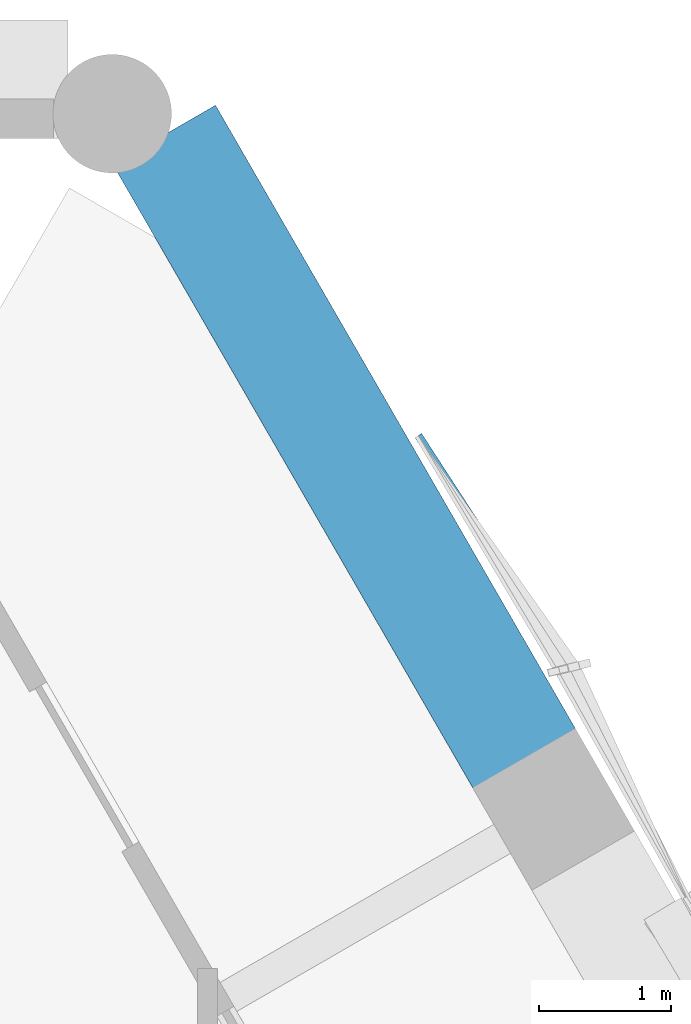
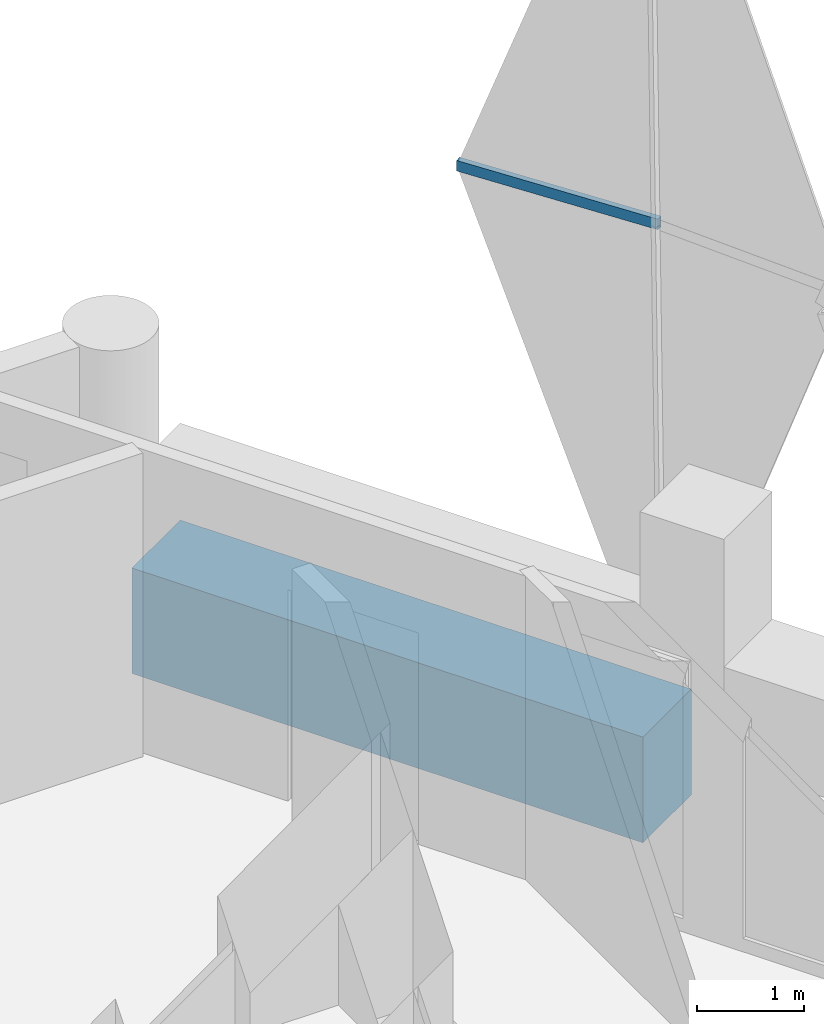
# One storey, part 6 of 18: 1 beam, 1 member, 1 element without a shape of its own.
"""IFC4 building model written with IfcOpenShell, lengths in metres."""

import ifcopenshell
import ifcopenshell.guid

model = None  # the IFC model being written
_history = None  # IfcOwnerHistory: only IFC2X3 demands one
_inside = {}  # id of a spatial element -> (the spatial element, [elements in it])
_under = {}  # id of a project, library or spatial element -> (it, [spatial elements below it])
_declared = {}  # id of a project -> (the project, [libraries it declares])
_typed = {}  # id of a type object -> (the type object, [elements of that type])
_made_of = {}  # id of a material, layer set ... -> (it, [elements and type objects made of it])


def new_model(schema):
    """Start an empty IFC model of exactly this schema.

    Asked for "IFC4X3", IfcOpenShell would pick the latest addendum, in which some entities
    have other attributes; the version numbers below select the first issue.
    IFC2X3 requires an IfcOwnerHistory on every rooted entity: one is made here for all.
    """
    global model, _history
    if schema == "IFC4X3":
        model = ifcopenshell.file(schema_version=(4, 3, 0, 0))
    else:
        model = ifcopenshell.file(schema=schema)
    _inside.clear()
    _under.clear()
    _declared.clear()
    _typed.clear()
    _made_of.clear()
    _history = None
    if model.schema == "IFC2X3":
        org = make("IfcOrganization", Name="unknown")
        user = make(
            "IfcPersonAndOrganization",
            ThePerson=make("IfcPerson", FamilyName="unknown"),
            TheOrganization=org,
        )
        app = make(
            "IfcApplication",
            ApplicationDeveloper=org,
            Version="unknown",
            ApplicationFullName="unknown",
            ApplicationIdentifier="unknown",
        )
        _history = make(
            "IfcOwnerHistory",
            OwningUser=user,
            OwningApplication=app,
            ChangeAction="ADDED",
            CreationDate=0,
        )
    return model


def make(cls, **values):
    """One entity of the class cls with the attributes given. An attribute that is None is left unset."""
    return model.create_entity(
        cls, **{name: value for name, value in values.items() if value is not None}
    )


def rooted(cls, **values):
    """An entity with a GlobalId (a new one), such as an element, a storey or a relation."""
    return make(cls, GlobalId=ifcopenshell.guid.new(), OwnerHistory=_history, **values)


def si_unit(unit_type, name, prefix=None):
    """IfcSIUnit, for example si_unit("LENGTHUNIT", "METRE", prefix="MILLI")."""
    return make("IfcSIUnit", UnitType=unit_type, Prefix=prefix, Name=name)


def assignment(units):
    """IfcUnitAssignment: the units of a project."""
    return None if units is None else make("IfcUnitAssignment", Units=units)


def point(xyz):
    """IfcCartesianPoint."""
    return None if xyz is None else make("IfcCartesianPoint", Coordinates=xyz)


def direction(xyz):
    """IfcDirection."""
    return None if xyz is None else make("IfcDirection", DirectionRatios=xyz)


def frame(location, z_axis=None, x_axis=None):
    """IfcAxis2Placement3D, a coordinate frame: its origin and axes. An axis left out is left unset."""
    return make(
        "IfcAxis2Placement3D",
        Location=point(location),
        Axis=direction(z_axis),
        RefDirection=direction(x_axis),
    )


def frame_2d(location, x_axis=None):
    """IfcAxis2Placement2D, a coordinate frame in the plane: its origin and x axis."""
    return make(
        "IfcAxis2Placement2D", Location=point(location), RefDirection=direction(x_axis)
    )


def origin():
    """The frame at (0, 0, 0) with its axes left unset."""
    return frame((0.0, 0.0, 0.0))


def origin_2d():
    """The frame at (0, 0) in the plane with its x axis left unset."""
    return frame_2d((0.0, 0.0))


def place(relative_to, where):
    """IfcLocalPlacement: puts the frame where relative to a parent placement (None: the world)."""
    return make(
        "IfcLocalPlacement", PlacementRelTo=relative_to, RelativePlacement=where
    )


def context(
    kind, dimensions, precision=None, world=None, true_north=None, identifier=None
):
    """IfcGeometricRepresentationContext, for example the 3D "Model" context."""
    return make(
        "IfcGeometricRepresentationContext",
        ContextIdentifier=identifier,
        ContextType=kind,
        CoordinateSpaceDimension=dimensions,
        Precision=precision,
        WorldCoordinateSystem=world,
        TrueNorth=true_north,
    )


def subcontext(parent, identifier, kind, view, scale=None):
    """IfcGeometricRepresentationSubContext, for example "Body" below "Model"."""
    return make(
        "IfcGeometricRepresentationSubContext",
        ContextIdentifier=identifier,
        ContextType=kind,
        ParentContext=parent,
        TargetScale=scale,
        TargetView=view,
    )


def project(units=None, contexts=None):
    """IfcProject with its units and contexts."""
    return rooted(
        "IfcProject",
        Name="project",
        RepresentationContexts=contexts,
        UnitsInContext=assignment(units),
    )


def spatial(cls, under=None, at=None, **own):
    """A site, building, storey or space (cls), placed at a placement, below another one or the project."""
    s = rooted(cls, ObjectPlacement=at, **own)
    if under is not None:
        _under.setdefault(under.id(), (under, []))[1].append(s)
    return s


def profile(cls, at=None, kind="AREA", **sizes):
    """A parametric profile (cls). Its sizes go by their IFC names, for example OverallWidth=200.0."""
    return make(cls, ProfileType=kind, Position=at, **sizes)


def rectangle(**sizes):
    """IfcRectangleProfileDef."""
    return profile("IfcRectangleProfileDef", **sizes)


def hollow_rectangle(**sizes):
    """IfcRectangleHollowProfileDef."""
    return profile("IfcRectangleHollowProfileDef", **sizes)


def extrude(swept, where, along, depth):
    """IfcExtrudedAreaSolid: the profile swept, set in the frame where, extruded along a direction by depth."""
    return make(
        "IfcExtrudedAreaSolid",
        SweptArea=swept,
        Position=where,
        ExtrudedDirection=direction(along),
        Depth=depth,
    )


def shape(context_of_items, identifier, shape_type, items):
    """IfcShapeRepresentation: the items that make up one representation, for example the "Body"."""
    return make(
        "IfcShapeRepresentation",
        ContextOfItems=context_of_items,
        RepresentationIdentifier=identifier,
        RepresentationType=shape_type,
        Items=items,
    )


def material(Name=None, Category=None):
    """IfcMaterial."""
    return make("IfcMaterial", Name=Name, Category=Category)


def material_profile(
    of_material, cross_section, Name=None, Category=None, Priority=None
):
    """IfcMaterialProfile: a cross section and its material."""
    return make(
        "IfcMaterialProfile",
        Name=Name,
        Material=of_material,
        Profile=cross_section,
        Priority=Priority,
        Category=Category,
    )


def profile_set(profiles, Name=None, composite=None):
    """IfcMaterialProfileSet."""
    return make(
        "IfcMaterialProfileSet",
        Name=Name,
        MaterialProfiles=profiles,
        CompositeProfile=composite,
    )


def made_of(thing, what):
    """Note that an element or type object is made of a material, layer set ...; save() writes the relation."""
    if what is not None:
        _made_of.setdefault(what.id(), (what, []))[1].append(thing)
    return thing


def type_object(cls, material=None, **own):
    """A type object (cls), such as IfcWallType, which elements share."""
    return made_of(rooted(cls, **own), material)


def element(
    cls,
    number,
    at=None,
    inside=None,
    cuts=None,
    type_object=None,
    material=None,
    context=None,
    identifier="Body",
    shape_type=None,
    held_by="IfcProductDefinitionShape",
    body=None,
    shapes=None,
    **own,
):
    """One element of the class cls, such as IfcWall. Its Tag is "e" and its number.

    at: its placement. inside: the storey or other place that contains it. cuts: it is an
    opening in that element (IfcRelVoidsElement). A single representation is given by context,
    identifier, shape_type and body (its items); several are given by shapes. held_by: the class
    of the entity that holds the representations. save() writes the other relations.
    """
    e = rooted(cls, Tag="e%d" % number, ObjectPlacement=at, **own)
    if body is not None:
        shapes = [shape(context, identifier, shape_type, body)]
    if shapes is not None:
        e.Representation = make(held_by, Representations=shapes)
    if inside is not None:
        _inside.setdefault(inside.id(), (inside, []))[1].append(e)
    if cuts is not None:
        rooted(
            "IfcRelVoidsElement", RelatingBuildingElement=cuts, RelatedOpeningElement=e
        )
    if type_object is not None:
        _typed.setdefault(type_object.id(), (type_object, []))[1].append(e)
    return made_of(e, material)


def aggregate(whole, parts):
    """IfcRelAggregates: a whole, such as a stair, and the parts it consists of."""
    return rooted("IfcRelAggregates", RelatingObject=whole, RelatedObjects=parts)


def save(model, path):
    """Write the relations noted so far, then the file.

    IfcRelAggregates (storeys below a building ...), IfcRelContainedInSpatialStructure (elements
    in a storey), IfcRelDefinesByType, IfcRelAssociatesMaterial and IfcRelDeclares: one each for
    every whole, place, type object, material and project.
    """
    for whole, parts in _under.values():
        aggregate(whole, parts)
    for where, things in _inside.values():
        rooted(
            "IfcRelContainedInSpatialStructure",
            RelatedElements=things,
            RelatingStructure=where,
        )
    for kind, things in _typed.values():
        rooted("IfcRelDefinesByType", RelatedObjects=things, RelatingType=kind)
    for what, things in _made_of.values():
        rooted("IfcRelAssociatesMaterial", RelatedObjects=things, RelatingMaterial=what)
    for by, libraries in _declared.values():
        rooted("IfcRelDeclares", RelatingContext=by, RelatedDefinitions=libraries)
    model.write(path)


model = new_model("IFC4")

# Units and contexts
model_context = context("Model", 3, precision=1e-05, world=origin(), true_north=direction((0.0, 1.0)))
body_context = subcontext(model_context, "Body", "Model", "MODEL_VIEW")
ifc_project = project(units=[si_unit("LENGTHUNIT", "METRE"), si_unit("AREAUNIT", "SQUARE_METRE"), si_unit("VOLUMEUNIT", "CUBIC_METRE"), si_unit("PLANEANGLEUNIT", "RADIAN"), si_unit("MASSUNIT", "GRAM", prefix="KILO")], contexts=[model_context])

# Site, building, storey
site_placement = place(None, origin())
site = spatial("IfcSite", under=ifc_project, at=site_placement, CompositionType="ELEMENT")
building_placement = place(site_placement, origin())
building = spatial("IfcBuilding", under=site, at=building_placement, Name="Ostrander Bayou Hotel Tower", CompositionType="ELEMENT")
storey_placement = place(building_placement, frame((0.0, 0.0, 214.5)))
storey = spatial("IfcBuildingStorey", under=building, at=storey_placement, Name="L53", CompositionType="ELEMENT", Elevation=214.5)

# Curtain wall, member
ifc_material_1 = material(Name="Aluminium and clear glass", Category="aluminium")
curtain_wall_type = type_object("IfcCurtainWallType", Name="CW-LAT lattice glazing", PredefinedType="NOTDEFINED", material=ifc_material_1)
curtain_wall_placement = place(storey_placement, origin())
curtain_wall = element("IfcCurtainWall", 1, at=curtain_wall_placement, inside=storey, type_object=curtain_wall_type, Name="CW-LAT L53 NE 2", PredefinedType="NOTDEFINED")
ifc_material_2 = material(Name="Aluminium", Category="aluminium")
ifc_material_profile_1 = material_profile(ifc_material_2, hollow_rectangle(XDim=0.06005859375, YDim=0.1201171875, WallThickness=0.00390625, at=origin_2d()))
ifc_profile_set_1 = profile_set([ifc_material_profile_1], Name="Aluminium")
member_type = type_object("IfcMemberType", Name="CW-LA transom 60 x 120 mm", PredefinedType="USERDEFINED", material=ifc_profile_set_1)
member_placement = place(storey_placement, frame((13.04541015625, 12.38134765625, 5.02490234375), z_axis=(-0.544478173175, 0.838775010915, 0.0), x_axis=(-0.838775010915, -0.544478173175, 0.0)))
member = element("IfcMember", 2, at=member_placement, type_object=member_type, Name="CW-LAT transom 15", ObjectType="TRANSOM", PredefinedType="USERDEFINED", context=body_context, shape_type="SweptSolid", body=[
    extrude(hollow_rectangle(XDim=0.06005859375, YDim=0.1201171875, WallThickness=0.00390625, at=origin_2d()), origin(), (0.0, 0.0, 1.0), 2.10302734375),
])
aggregate(curtain_wall, [member])

# Beam
ifc_material_3 = material(Name="Concrete f'c 60 MPa", Category="concrete")
ifc_material_profile_2 = material_profile(ifc_material_3, rectangle(XDim=0.89990234375, YDim=1.199951171875, at=origin_2d()))
ifc_profile_set_2 = profile_set([ifc_material_profile_2], Name="Concrete f'c 60 MPa")
beam_type = type_object("IfcBeamType", Name="SP4 spandrel beam 900 x 1200 mm f'c 60 MPa", PredefinedType="SPANDREL", material=ifc_profile_set_2)
beam_placement = place(storey_placement, frame((12.7177734375, 11.672119140625, -0.60009765625), z_axis=(-0.50000722722, 0.866021231107, 0.0), x_axis=(-0.866021231107, -0.50000722722, 0.0)))
element("IfcBeam", 3, at=beam_placement, inside=storey, type_object=beam_type, Name="SP4 L53 NE-3", PredefinedType="SPANDREL", context=body_context, shape_type="SweptSolid", body=[
    extrude(rectangle(XDim=0.89990234375, YDim=1.199951171875, at=origin_2d()), origin(), (0.0, 0.0, 1.0), 5.49169921875),
])

save(model, "model.ifc")
